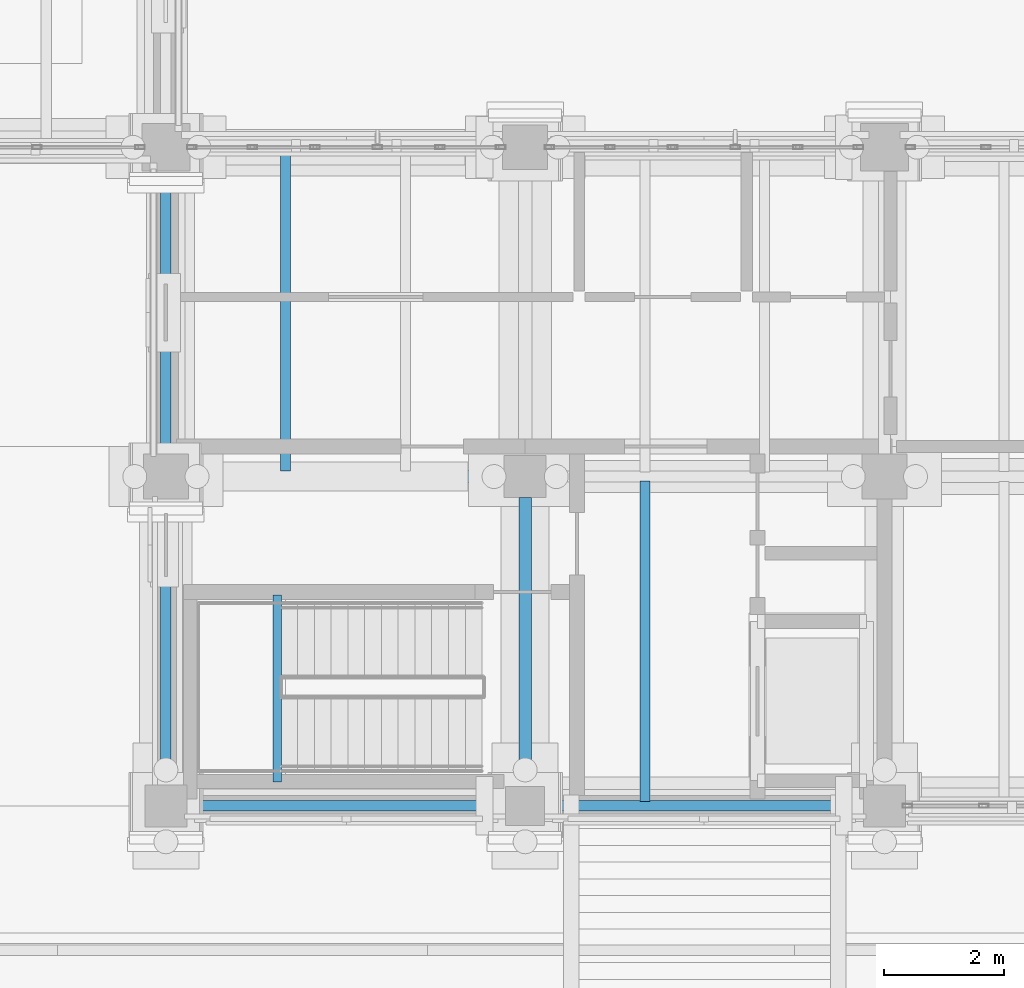
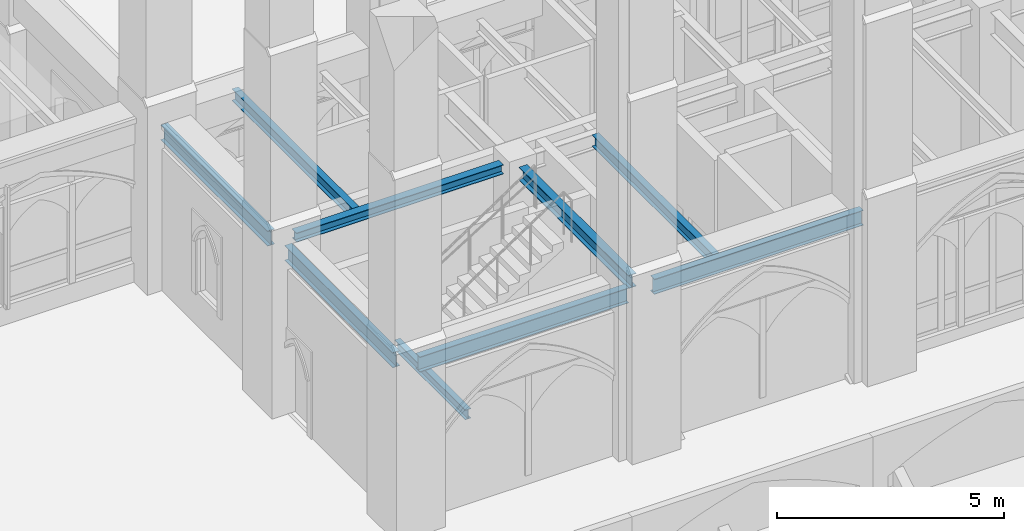
# One storey, part 17 of 135: 9 beams.
"""IFC4 building model written with IfcOpenShell, lengths in metres."""

from ifc_helpers import new_model, si_unit, direction, frame, origin, origin_2d, place, context, subcontext, project, spatial, i_section, extrude, material, material_profile, profile_set, type_object, element, save


model = new_model("IFC4")

# Units and contexts
model_context = context("Model", 3, precision=1e-05, world=origin(), true_north=direction((0.0, 1.0)))
body_context = subcontext(model_context, "Body", "Model", "MODEL_VIEW")
ifc_project = project(units=[si_unit("LENGTHUNIT", "METRE"), si_unit("AREAUNIT", "SQUARE_METRE"), si_unit("VOLUMEUNIT", "CUBIC_METRE"), si_unit("PLANEANGLEUNIT", "RADIAN"), si_unit("MASSUNIT", "GRAM", prefix="KILO")], contexts=[model_context])

# Site, building, storey
site_placement = place(None, origin())
site = spatial("IfcSite", under=ifc_project, at=site_placement, CompositionType="ELEMENT")
building_placement = place(site_placement, origin())
building = spatial("IfcBuilding", under=site, at=building_placement, Name="Cumevento Cable Car Station", CompositionType="ELEMENT")
storey_placement = place(building_placement, origin())
storey = spatial("IfcBuildingStorey", under=building, at=storey_placement, Name="L01", CompositionType="ELEMENT", Elevation=0.0)

# Beams
ifc_material_1 = material(Name="Steel ASTM A572 Grade 50", Category="steel")
ifc_material_profile_1 = material_profile(ifc_material_1, i_section(OverallWidth=0.205078125, OverallDepth=0.35400390625, WebThickness=0.009521484375, FlangeThickness=0.016845703125, at=origin_2d()), Name="W360x79.0")
ifc_profile_set_1 = profile_set([ifc_material_profile_1], Name="Steel ASTM A572 Grade 50")
beam_type_1 = type_object("IfcBeamType", Name="Structural Beam BM-05 W360x79.0", PredefinedType="BEAM", material=ifc_profile_set_1)
beam_1_placement = place(storey_placement, frame((28.0, 4.324951171875, 4.111083984375), z_axis=(0.0, 1.0, 0.0), x_axis=(-1.0, 0.0, 0.0)))
element("IfcBeam", 1, at=beam_1_placement, inside=storey, type_object=beam_type_1, Name="Beam BM-05 L01 #15", PredefinedType="BEAM", context=body_context, shape_type="SweptSolid", body=[
    extrude(i_section(OverallWidth=0.205078125, OverallDepth=0.35400390625, WebThickness=0.009521484375, FlangeThickness=0.016845703125, at=origin_2d()), origin(), (0.0, 0.0, 1.0), 4.824951171875),
])
ifc_material_2 = material(Name="Steel ASTM A572 Grade 50", Category="steel")
ifc_material_profile_2 = material_profile(ifc_material_2, i_section(OverallWidth=0.14794921875, OverallDepth=0.26611328125, WebThickness=0.007568359375, FlangeThickness=0.012939453125, at=origin_2d()), Name="W250x44.8")
ifc_profile_set_2 = profile_set([ifc_material_profile_2], Name="Steel ASTM A572 Grade 50")
beam_type_2 = type_object("IfcBeamType", Name="Structural Beam BM-07 W250x44.8", PredefinedType="BEAM", material=ifc_profile_set_2)
beam_2_placement = place(storey_placement, frame((23.860107421875, 4.39990234375, 1.926025390625), z_axis=(0.0, 1.0, 0.0), x_axis=(-1.0, 0.0, 0.0)))
element("IfcBeam", 2, at=beam_2_placement, inside=storey, type_object=beam_type_2, Name="Core Stair Half-Landing Trimmer ST-02-L01", PredefinedType="BEAM", context=body_context, shape_type="SweptSolid", body=[
    extrude(i_section(OverallWidth=0.14794921875, OverallDepth=0.26611328125, WebThickness=0.007568359375, FlangeThickness=0.012939453125, at=origin_2d()), origin(), (0.0, 0.0, 1.0), 3.1201171875),
])
ifc_material_3 = material(Name="Steel ASTM A572 Grade 50", Category="steel")
ifc_material_profile_3 = material_profile(ifc_material_3, i_section(OverallWidth=0.202880859375, OverallDepth=0.251953125, WebThickness=0.008056640625, FlangeThickness=0.013427734375, at=origin_2d()), Name="W250x58.0")
ifc_profile_set_3 = profile_set([ifc_material_profile_3], Name="Steel ASTM A572 Grade 50")
beam_type_3 = type_object("IfcBeamType", Name="Structural Beam BM-08 W250x58.0", PredefinedType="BEAM", material=ifc_profile_set_3)
beam_3_placement = place(storey_placement, frame((22.375, 9.5, 4.162109375), z_axis=(1.0, 0.0, 0.0), x_axis=(0.0, 1.0, 0.0)))
element("IfcBeam", 3, at=beam_3_placement, inside=storey, type_object=beam_type_3, Name="Beam BM-08 L01 #5", PredefinedType="BEAM", context=body_context, shape_type="SweptSolid", body=[
    extrude(i_section(OverallWidth=0.202880859375, OverallDepth=0.251953125, WebThickness=0.008056640625, FlangeThickness=0.013427734375, at=origin_2d()), origin(), (0.0, 0.0, 1.0), 5.27490234375),
])
ifc_material_4 = material(Name="Steel ASTM A572 Grade 50", Category="steel")
ifc_material_profile_4 = material_profile(ifc_material_4, i_section(OverallWidth=0.1669921875, OverallDepth=0.31689453125, WebThickness=0.007568359375, FlangeThickness=0.01318359375, at=origin_2d()), Name="W310x52.0")
ifc_profile_set_4 = profile_set([ifc_material_profile_4], Name="Steel ASTM A572 Grade 50")
beam_type_4 = type_object("IfcBeamType", Name="Structural Joist JS-02 W310x52.0", PredefinedType="JOIST", material=ifc_profile_set_4)
beam_4_placement = place(storey_placement, frame((24.0, 9.589599609375, 4.12939453125), z_axis=(0.0, 1.0, 0.0), x_axis=(-1.0, 0.0, 0.0)))
element("IfcBeam", 4, at=beam_4_placement, inside=storey, type_object=beam_type_4, Name="Composite Floor Joist JS-02 L01 #304", PredefinedType="JOIST", context=body_context, shape_type="SweptSolid", body=[
    extrude(i_section(OverallWidth=0.1669921875, OverallDepth=0.31689453125, WebThickness=0.007568359375, FlangeThickness=0.01318359375, at=origin_2d()), origin(), (0.0, 0.0, 1.0), 5.33349609375),
])
beam_5_placement = place(storey_placement, frame((30.0, 4.076904296875, 4.12939453125), z_axis=(0.0, 1.0, 0.0), x_axis=(-1.0, 0.0, 0.0)))
element("IfcBeam", 5, at=beam_5_placement, inside=storey, type_object=beam_type_4, Name="Composite Floor Joist JS-02 L01 #306", PredefinedType="JOIST", context=body_context, shape_type="SweptSolid", body=[
    extrude(i_section(OverallWidth=0.1669921875, OverallDepth=0.31689453125, WebThickness=0.007568359375, FlangeThickness=0.01318359375, at=origin_2d()), origin(), (0.0, 0.0, 1.0), 5.34521484375),
])
ifc_material_5 = material(Name="Steel ASTM A572 Grade 50", Category="steel")
ifc_material_profile_5 = material_profile(ifc_material_5, i_section(OverallWidth=0.177978515625, OverallDepth=0.406982421875, WebThickness=0.0078125, FlangeThickness=0.0126953125, at=origin_2d()), Name="W410x60.0")
ifc_profile_set_5 = profile_set([ifc_material_profile_5], Name="Steel ASTM A572 Grade 50")
beam_type_5 = type_object("IfcBeamType", Name="Structural Spandrel SP-01 W410x60.0", PredefinedType="SPANDREL", material=ifc_profile_set_5)
for number, where, z_axis, x_axis, name in (
    (6, (22.35009765625, 4.0, 4.08447265625), (1.0, 0.0, 0.0), (0.0, 1.0, 0.0), "Beam SP-01 L01 #1"),
    (7, (28.324951171875, 4.0, 4.08447265625), (1.0, 0.0, 0.0), (0.0, 1.0, 0.0), "Beam SP-01 L01 #2"),
):
    element("IfcBeam", number, at=place(storey_placement, frame(where, z_axis=z_axis, x_axis=x_axis)), inside=storey, type_object=beam_type_5, Name=name, PredefinedType="SPANDREL", context=body_context, shape_type="SweptSolid", body=[
        extrude(i_section(OverallWidth=0.177978515625, OverallDepth=0.406982421875, WebThickness=0.0078125, FlangeThickness=0.0126953125, at=origin_2d()), origin(), (0.0, 0.0, 1.0), 5.324951171875),
    ])
beam_6_placement = place(storey_placement, frame((22.0, 4.35009765625, 4.08447265625), z_axis=(0.0, 1.0, 0.0), x_axis=(-1.0, 0.0, 0.0)))
element("IfcBeam", 8, at=beam_6_placement, inside=storey, type_object=beam_type_5, Name="Beam SP-01 L01 #13", PredefinedType="SPANDREL", context=body_context, shape_type="SweptSolid", body=[
    extrude(i_section(OverallWidth=0.177978515625, OverallDepth=0.406982421875, WebThickness=0.0078125, FlangeThickness=0.0126953125, at=origin_2d()), origin(), (0.0, 0.0, 1.0), 4.77490234375),
])
beam_7_placement = place(storey_placement, frame((22.0, 9.875, 4.012451171875), z_axis=(0.0, 1.0, 0.0), x_axis=(-1.0, 0.0, 0.0)))
element("IfcBeam", 9, at=beam_7_placement, inside=storey, type_object=beam_type_5, Name="Beam SP-01 L01 #14", PredefinedType="SPANDREL", context=body_context, shape_type="SweptSolid", body=[
    extrude(i_section(OverallWidth=0.177978515625, OverallDepth=0.406982421875, WebThickness=0.0078125, FlangeThickness=0.0126953125, at=origin_2d()), origin(), (0.0, 0.0, 1.0), 4.72509765625),
])

save(model, "model.ifc")
